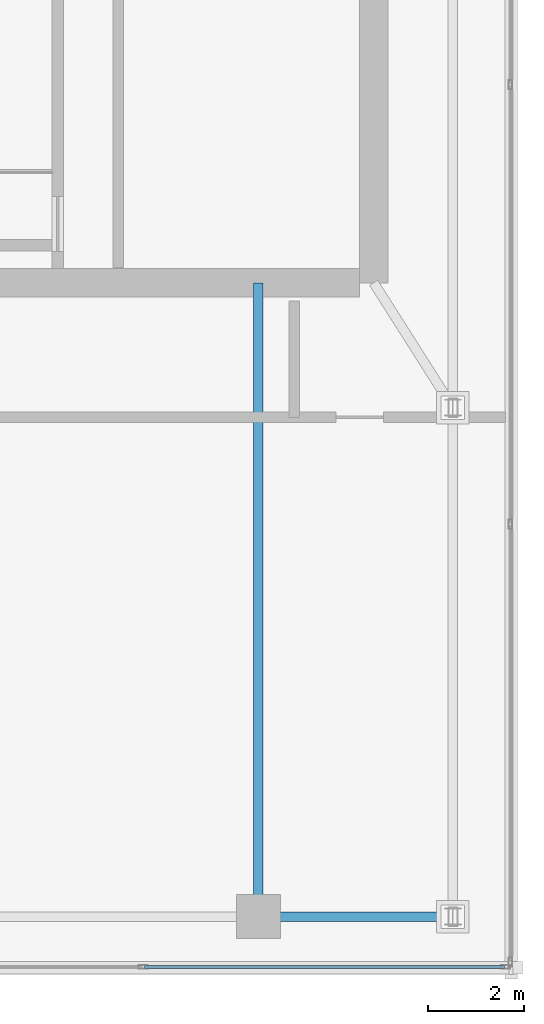
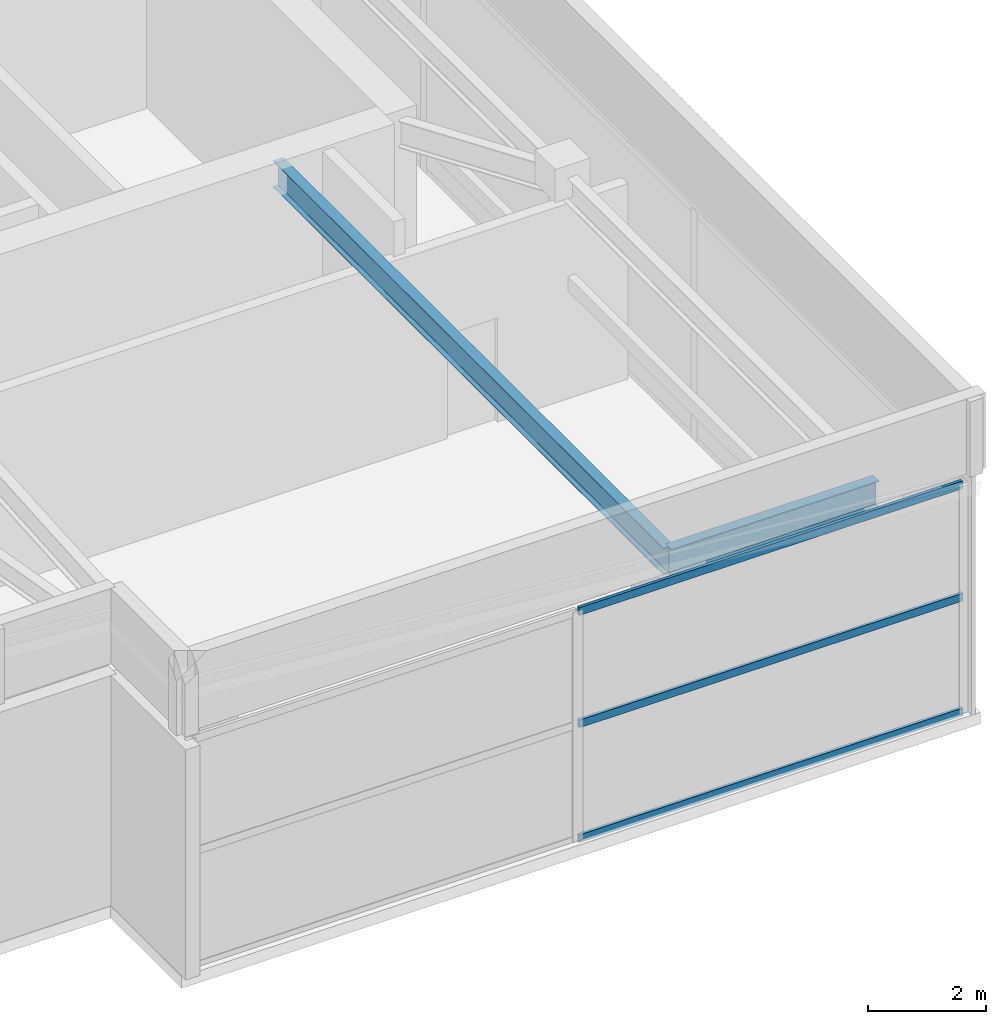
# One storey, part 5 of 20: 3 members, 2 beams, 1 element without a shape of its own.
"""IFC4 building model written with IfcOpenShell, lengths in metres."""

import ifcopenshell
import ifcopenshell.guid

model = None  # the IFC model being written
_history = None  # IfcOwnerHistory: only IFC2X3 demands one
_inside = {}  # id of a spatial element -> (the spatial element, [elements in it])
_under = {}  # id of a project, library or spatial element -> (it, [spatial elements below it])
_declared = {}  # id of a project -> (the project, [libraries it declares])
_typed = {}  # id of a type object -> (the type object, [elements of that type])
_made_of = {}  # id of a material, layer set ... -> (it, [elements and type objects made of it])


def new_model(schema):
    """Start an empty IFC model of exactly this schema.

    Asked for "IFC4X3", IfcOpenShell would pick the latest addendum, in which some entities
    have other attributes; the version numbers below select the first issue.
    IFC2X3 requires an IfcOwnerHistory on every rooted entity: one is made here for all.
    """
    global model, _history
    if schema == "IFC4X3":
        model = ifcopenshell.file(schema_version=(4, 3, 0, 0))
    else:
        model = ifcopenshell.file(schema=schema)
    _inside.clear()
    _under.clear()
    _declared.clear()
    _typed.clear()
    _made_of.clear()
    _history = None
    if model.schema == "IFC2X3":
        org = make("IfcOrganization", Name="unknown")
        user = make(
            "IfcPersonAndOrganization",
            ThePerson=make("IfcPerson", FamilyName="unknown"),
            TheOrganization=org,
        )
        app = make(
            "IfcApplication",
            ApplicationDeveloper=org,
            Version="unknown",
            ApplicationFullName="unknown",
            ApplicationIdentifier="unknown",
        )
        _history = make(
            "IfcOwnerHistory",
            OwningUser=user,
            OwningApplication=app,
            ChangeAction="ADDED",
            CreationDate=0,
        )
    return model


def make(cls, **values):
    """One entity of the class cls with the attributes given. An attribute that is None is left unset."""
    return model.create_entity(
        cls, **{name: value for name, value in values.items() if value is not None}
    )


def rooted(cls, **values):
    """An entity with a GlobalId (a new one), such as an element, a storey or a relation."""
    return make(cls, GlobalId=ifcopenshell.guid.new(), OwnerHistory=_history, **values)


def si_unit(unit_type, name, prefix=None):
    """IfcSIUnit, for example si_unit("LENGTHUNIT", "METRE", prefix="MILLI")."""
    return make("IfcSIUnit", UnitType=unit_type, Prefix=prefix, Name=name)


def assignment(units):
    """IfcUnitAssignment: the units of a project."""
    return None if units is None else make("IfcUnitAssignment", Units=units)


def point(xyz):
    """IfcCartesianPoint."""
    return None if xyz is None else make("IfcCartesianPoint", Coordinates=xyz)


def direction(xyz):
    """IfcDirection."""
    return None if xyz is None else make("IfcDirection", DirectionRatios=xyz)


def frame(location, z_axis=None, x_axis=None):
    """IfcAxis2Placement3D, a coordinate frame: its origin and axes. An axis left out is left unset."""
    return make(
        "IfcAxis2Placement3D",
        Location=point(location),
        Axis=direction(z_axis),
        RefDirection=direction(x_axis),
    )


def frame_2d(location, x_axis=None):
    """IfcAxis2Placement2D, a coordinate frame in the plane: its origin and x axis."""
    return make(
        "IfcAxis2Placement2D", Location=point(location), RefDirection=direction(x_axis)
    )


def origin():
    """The frame at (0, 0, 0) with its axes left unset."""
    return frame((0.0, 0.0, 0.0))


def origin_2d():
    """The frame at (0, 0) in the plane with its x axis left unset."""
    return frame_2d((0.0, 0.0))


def place(relative_to, where):
    """IfcLocalPlacement: puts the frame where relative to a parent placement (None: the world)."""
    return make(
        "IfcLocalPlacement", PlacementRelTo=relative_to, RelativePlacement=where
    )


def context(
    kind, dimensions, precision=None, world=None, true_north=None, identifier=None
):
    """IfcGeometricRepresentationContext, for example the 3D "Model" context."""
    return make(
        "IfcGeometricRepresentationContext",
        ContextIdentifier=identifier,
        ContextType=kind,
        CoordinateSpaceDimension=dimensions,
        Precision=precision,
        WorldCoordinateSystem=world,
        TrueNorth=true_north,
    )


def subcontext(parent, identifier, kind, view, scale=None):
    """IfcGeometricRepresentationSubContext, for example "Body" below "Model"."""
    return make(
        "IfcGeometricRepresentationSubContext",
        ContextIdentifier=identifier,
        ContextType=kind,
        ParentContext=parent,
        TargetScale=scale,
        TargetView=view,
    )


def project(units=None, contexts=None):
    """IfcProject with its units and contexts."""
    return rooted(
        "IfcProject",
        Name="project",
        RepresentationContexts=contexts,
        UnitsInContext=assignment(units),
    )


def spatial(cls, under=None, at=None, **own):
    """A site, building, storey or space (cls), placed at a placement, below another one or the project."""
    s = rooted(cls, ObjectPlacement=at, **own)
    if under is not None:
        _under.setdefault(under.id(), (under, []))[1].append(s)
    return s


def profile(cls, at=None, kind="AREA", **sizes):
    """A parametric profile (cls). Its sizes go by their IFC names, for example OverallWidth=200.0."""
    return make(cls, ProfileType=kind, Position=at, **sizes)


def hollow_rectangle(**sizes):
    """IfcRectangleHollowProfileDef."""
    return profile("IfcRectangleHollowProfileDef", **sizes)


def i_section(**sizes):
    """IfcIShapeProfileDef."""
    return profile("IfcIShapeProfileDef", **sizes)


def extrude(swept, where, along, depth):
    """IfcExtrudedAreaSolid: the profile swept, set in the frame where, extruded along a direction by depth."""
    return make(
        "IfcExtrudedAreaSolid",
        SweptArea=swept,
        Position=where,
        ExtrudedDirection=direction(along),
        Depth=depth,
    )


def shape(context_of_items, identifier, shape_type, items):
    """IfcShapeRepresentation: the items that make up one representation, for example the "Body"."""
    return make(
        "IfcShapeRepresentation",
        ContextOfItems=context_of_items,
        RepresentationIdentifier=identifier,
        RepresentationType=shape_type,
        Items=items,
    )


def material(Name=None, Category=None):
    """IfcMaterial."""
    return make("IfcMaterial", Name=Name, Category=Category)


def layer(
    of_material, thickness, ventilated=None, Name=None, Category=None, Priority=None
):
    """IfcMaterialLayer: one layer of a wall or slab, of a material (None: an air gap)."""
    return make(
        "IfcMaterialLayer",
        Material=of_material,
        LayerThickness=thickness,
        IsVentilated=ventilated,
        Name=Name,
        Category=Category,
        Priority=Priority,
    )


def layer_set(layers, Name=None):
    """IfcMaterialLayerSet."""
    return make("IfcMaterialLayerSet", MaterialLayers=layers, LayerSetName=Name)


def material_profile(
    of_material, cross_section, Name=None, Category=None, Priority=None
):
    """IfcMaterialProfile: a cross section and its material."""
    return make(
        "IfcMaterialProfile",
        Name=Name,
        Material=of_material,
        Profile=cross_section,
        Priority=Priority,
        Category=Category,
    )


def profile_set(profiles, Name=None, composite=None):
    """IfcMaterialProfileSet."""
    return make(
        "IfcMaterialProfileSet",
        Name=Name,
        MaterialProfiles=profiles,
        CompositeProfile=composite,
    )


def made_of(thing, what):
    """Note that an element or type object is made of a material, layer set ...; save() writes the relation."""
    if what is not None:
        _made_of.setdefault(what.id(), (what, []))[1].append(thing)
    return thing


def type_object(cls, material=None, **own):
    """A type object (cls), such as IfcWallType, which elements share."""
    return made_of(rooted(cls, **own), material)


def element(
    cls,
    number,
    at=None,
    inside=None,
    cuts=None,
    type_object=None,
    material=None,
    context=None,
    identifier="Body",
    shape_type=None,
    held_by="IfcProductDefinitionShape",
    body=None,
    shapes=None,
    **own,
):
    """One element of the class cls, such as IfcWall. Its Tag is "e" and its number.

    at: its placement. inside: the storey or other place that contains it. cuts: it is an
    opening in that element (IfcRelVoidsElement). A single representation is given by context,
    identifier, shape_type and body (its items); several are given by shapes. held_by: the class
    of the entity that holds the representations. save() writes the other relations.
    """
    e = rooted(cls, Tag="e%d" % number, ObjectPlacement=at, **own)
    if body is not None:
        shapes = [shape(context, identifier, shape_type, body)]
    if shapes is not None:
        e.Representation = make(held_by, Representations=shapes)
    if inside is not None:
        _inside.setdefault(inside.id(), (inside, []))[1].append(e)
    if cuts is not None:
        rooted(
            "IfcRelVoidsElement", RelatingBuildingElement=cuts, RelatedOpeningElement=e
        )
    if type_object is not None:
        _typed.setdefault(type_object.id(), (type_object, []))[1].append(e)
    return made_of(e, material)


def aggregate(whole, parts):
    """IfcRelAggregates: a whole, such as a stair, and the parts it consists of."""
    return rooted("IfcRelAggregates", RelatingObject=whole, RelatedObjects=parts)


def save(model, path):
    """Write the relations noted so far, then the file.

    IfcRelAggregates (storeys below a building ...), IfcRelContainedInSpatialStructure (elements
    in a storey), IfcRelDefinesByType, IfcRelAssociatesMaterial and IfcRelDeclares: one each for
    every whole, place, type object, material and project.
    """
    for whole, parts in _under.values():
        aggregate(whole, parts)
    for where, things in _inside.values():
        rooted(
            "IfcRelContainedInSpatialStructure",
            RelatedElements=things,
            RelatingStructure=where,
        )
    for kind, things in _typed.values():
        rooted("IfcRelDefinesByType", RelatedObjects=things, RelatingType=kind)
    for what, things in _made_of.values():
        rooted("IfcRelAssociatesMaterial", RelatedObjects=things, RelatingMaterial=what)
    for by, libraries in _declared.values():
        rooted("IfcRelDeclares", RelatingContext=by, RelatedDefinitions=libraries)
    model.write(path)


model = new_model("IFC4")

# Units and contexts
model_context = context("Model", 3, precision=1e-05, world=origin(), true_north=direction((0.0, 1.0)))
body_context = subcontext(model_context, "Body", "Model", "MODEL_VIEW")
ifc_project = project(units=[si_unit("LENGTHUNIT", "METRE"), si_unit("AREAUNIT", "SQUARE_METRE"), si_unit("VOLUMEUNIT", "CUBIC_METRE"), si_unit("PLANEANGLEUNIT", "RADIAN"), si_unit("MASSUNIT", "GRAM", prefix="KILO")], contexts=[model_context])

# Site, building, storey
site_placement = place(None, origin())
site = spatial("IfcSite", under=ifc_project, at=site_placement, CompositionType="ELEMENT")
building_placement = place(site_placement, origin())
building = spatial("IfcBuilding", under=site, at=building_placement, Name="Calvorn Quay Hotel", CompositionType="ELEMENT")
storey_placement = place(building_placement, frame((0.0, 0.0, 345.5)))
storey = spatial("IfcBuildingStorey", under=building, at=storey_placement, Name="L84", CompositionType="ELEMENT", Elevation=345.5)

# Beams
ifc_material_1 = material(Name="Steel Q355B", Category="steel")
ifc_material_profile_1 = material_profile(ifc_material_1, i_section(OverallWidth=0.199951171875, OverallDepth=0.550048828125, WebThickness=0.010009765625, FlangeThickness=0.01611328125, FilletRadius=0.01806640625, at=origin_2d()), Name="HN550x200x10x16")
ifc_profile_set_1 = profile_set([ifc_material_profile_1], Name="Steel Q355B")
beam_type = type_object("IfcBeamType", Name="BM-GIRD-UPP", PredefinedType="BEAM", material=ifc_profile_set_1)
beam_1_placement = place(storey_placement, frame((12.60009765625, 3.60009765625, 4.304931640625), z_axis=(0.0, 1.0, 0.0), x_axis=(-1.0, 0.0, 0.0)))
element("IfcBeam", 1, at=beam_1_placement, inside=storey, type_object=beam_type, Name="Beam BG-L84-CS1", PredefinedType="BEAM", context=body_context, shape_type="SweptSolid", body=[
    extrude(i_section(OverallWidth=0.199951171875, OverallDepth=0.550048828125, WebThickness=0.010009765625, FlangeThickness=0.01611328125, FilletRadius=0.01806640625, at=origin_2d()), origin(), (0.0, 0.0, 1.0), 13.199951171875),
])
beam_2_placement = place(storey_placement, frame((12.60009765625, 3.60009765625, 4.304931640625), z_axis=(1.0, 0.0, 0.0), x_axis=(0.0, 1.0, 0.0)))
element("IfcBeam", 2, at=beam_2_placement, inside=storey, type_object=beam_type, Name="Beam BTG-L84-C-CR1", PredefinedType="BEAM", context=body_context, shape_type="SweptSolid", body=[
    extrude(i_section(OverallWidth=0.199951171875, OverallDepth=0.550048828125, WebThickness=0.010009765625, FlangeThickness=0.01611328125, FilletRadius=0.01806640625, at=origin_2d()), origin(), (0.0, 0.0, 1.0), 4.0498046875),
])

# Curtain wall, members
ifc_material_2 = material(Name="Pale Anodised Aluminium and Laminated Glass", Category="aluminium")
ifc_layer = layer(ifc_material_2, 0.219970703125)
ifc_layer_set = layer_set([ifc_layer], Name="CW-SYS-CRN")
curtain_wall_type = type_object("IfcCurtainWallType", Name="CW-SYS-CRN", PredefinedType="NOTDEFINED", material=ifc_layer_set)
curtain_wall_placement = place(storey_placement, origin())
curtain_wall = element("IfcCurtainWall", 3, at=curtain_wall_placement, inside=storey, type_object=curtain_wall_type, Name="Crown Curtain Wall L84-C1", PredefinedType="NOTDEFINED")
ifc_material_3 = material(Name="Pale Anodised Aluminium 6063-T6", Category="aluminium")
ifc_material_profile_2 = material_profile(ifc_material_3, hollow_rectangle(XDim=0.06201171875, YDim=0.159912109375, WallThickness=0.00341796875, at=origin_2d()), Name="ALU-T160x62x3.5")
ifc_profile_set_2 = profile_set([ifc_material_profile_2], Name="Pale Anodised Aluminium 6063-T6")
member_type = type_object("IfcMemberType", Name="CW-SYS-CRN-TRN", PredefinedType="USERDEFINED", material=ifc_profile_set_2)
member_1_placement = place(storey_placement, frame((10.22998046875, 2.550048828125, 0.030029296875), z_axis=(1.0, 0.0, 0.0), x_axis=(0.0, 1.0, 0.0)))
member_1 = element("IfcMember", 4, at=member_1_placement, type_object=member_type, Name="CW-L84-C1 transom 2.1", ObjectType="TRANSOM", PredefinedType="USERDEFINED", context=body_context, shape_type="SweptSolid", body=[
    extrude(hollow_rectangle(XDim=0.06201171875, YDim=0.159912109375, WallThickness=0.00341796875, at=origin_2d()), origin(), (0.0, 0.0, 1.0), 7.489990234375),
])
member_2_placement = place(storey_placement, frame((10.22998046875, 2.550048828125, 2.39990234375), z_axis=(1.0, 0.0, 0.0), x_axis=(0.0, 1.0, 0.0)))
member_2 = element("IfcMember", 5, at=member_2_placement, type_object=member_type, Name="CW-L84-C1 transom 2.2", ObjectType="TRANSOM", PredefinedType="USERDEFINED", context=body_context, shape_type="SweptSolid", body=[
    extrude(hollow_rectangle(XDim=0.06201171875, YDim=0.159912109375, WallThickness=0.00341796875, at=origin_2d()), origin(), (0.0, 0.0, 1.0), 7.489990234375),
])
member_3_placement = place(storey_placement, frame((10.22998046875, 2.550048828125, 4.719970703125), z_axis=(1.0, 0.0, 0.0), x_axis=(0.0, 1.0, 0.0)))
member_3 = element("IfcMember", 6, at=member_3_placement, type_object=member_type, Name="CW-L84-C1 transom 2.3", ObjectType="TRANSOM", PredefinedType="USERDEFINED", context=body_context, shape_type="SweptSolid", body=[
    extrude(hollow_rectangle(XDim=0.06201171875, YDim=0.159912109375, WallThickness=0.00341796875, at=origin_2d()), origin(), (0.0, 0.0, 1.0), 7.489990234375),
])
aggregate(curtain_wall, [member_1, member_2, member_3])

save(model, "model.ifc")
